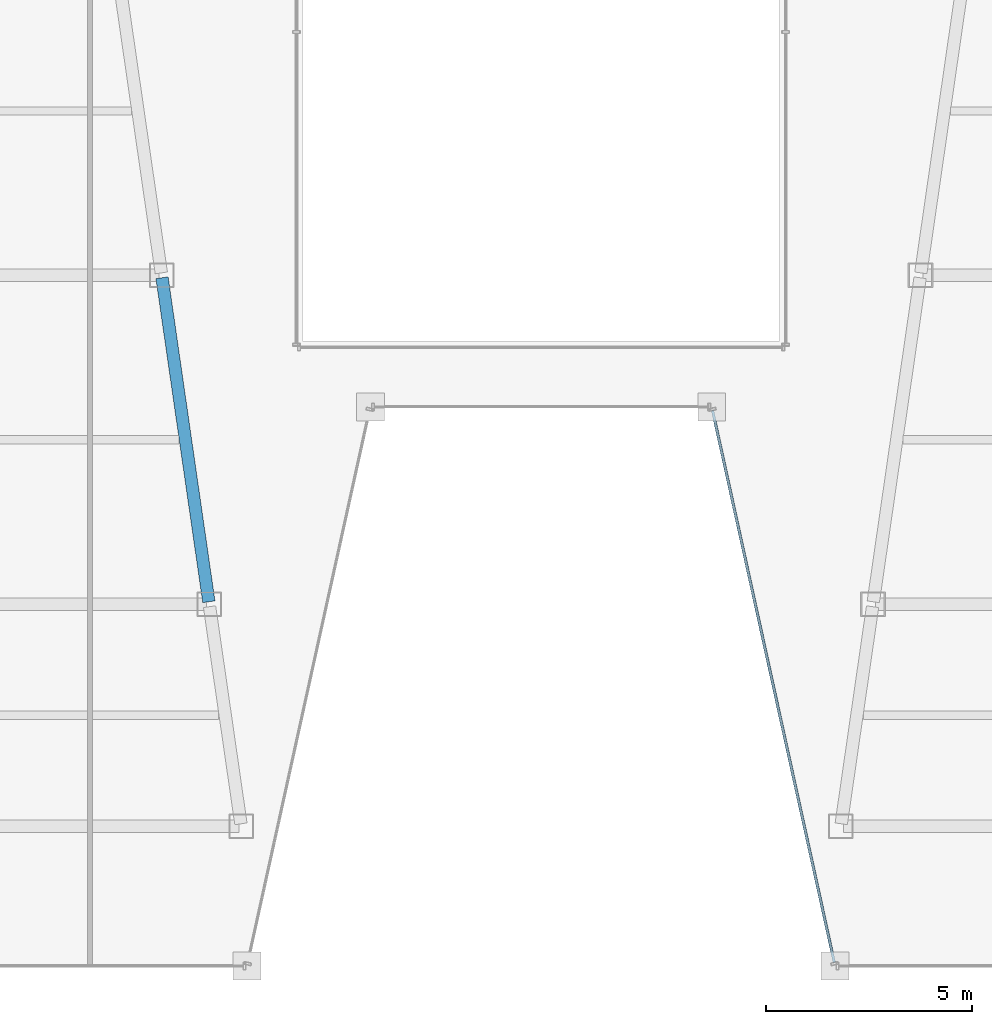
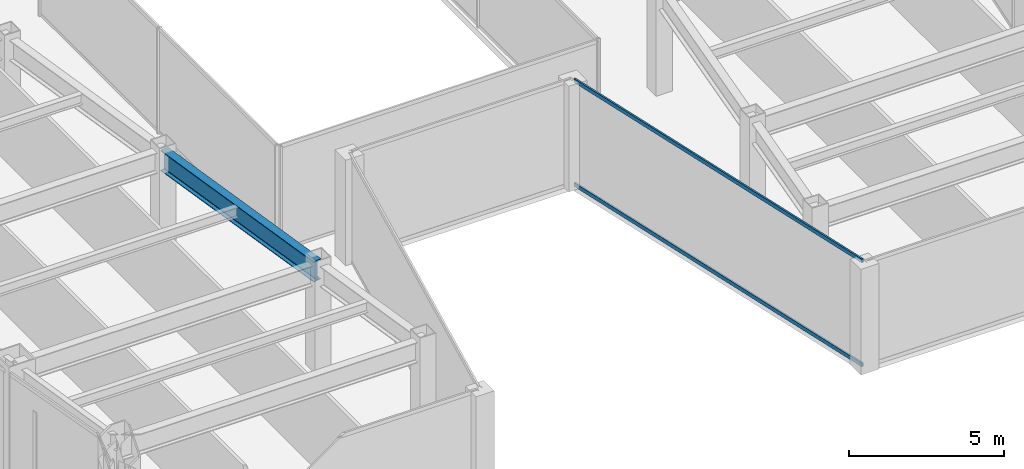
# One storey, part 6 of 37: 2 members, 1 beam, 1 element without a shape of its own.
"""IFC4 building model written with IfcOpenShell, lengths in metres."""

from ifc_helpers import new_model, si_unit, direction, frame, origin, origin_2d, place, context, subcontext, project, spatial, hollow_rectangle, i_section, extrude, material, material_profile, profile_set, type_object, element, aggregate, save


model = new_model("IFC4")

# Units and contexts
model_context = context("Model", 3, precision=1e-05, world=origin(), true_north=direction((0.0, 1.0)))
body_context = subcontext(model_context, "Body", "Model", "MODEL_VIEW")
ifc_project = project(units=[si_unit("LENGTHUNIT", "METRE"), si_unit("AREAUNIT", "SQUARE_METRE"), si_unit("VOLUMEUNIT", "CUBIC_METRE"), si_unit("PLANEANGLEUNIT", "RADIAN"), si_unit("MASSUNIT", "GRAM", prefix="KILO")], contexts=[model_context])

# Site, building, storey
site_placement = place(None, origin())
site = spatial("IfcSite", under=ifc_project, at=site_placement, CompositionType="ELEMENT")
building_placement = place(site_placement, origin())
building = spatial("IfcBuilding", under=site, at=building_placement, Name="Saevonmaru Cultural Tower", CompositionType="ELEMENT")
storey_placement = place(building_placement, frame((0.0, 0.0, 114.800048828125)))
storey = spatial("IfcBuildingStorey", under=building, at=storey_placement, Name="L24", CompositionType="ELEMENT", Elevation=114.800048828125)

# Beam
ifc_material_1 = material(Name="Steel SM420", Category="steel")
ifc_material_profile_1 = material_profile(ifc_material_1, i_section(OverallWidth=0.300048828125, OverallDepth=0.800048828125, WebThickness=0.013916015625, FlangeThickness=0.02587890625, FilletRadius=0.028076171875, at=origin_2d()), Name="H-800x300x14x26")
ifc_profile_set_1 = profile_set([ifc_material_profile_1], Name="Steel SM420")
beam_type = type_object("IfcBeamType", Name="BM-G-H800", PredefinedType="BEAM", material=ifc_profile_set_1)
beam_placement = place(storey_placement, frame((21.91943359375, 16.059326171875, 3.75), z_axis=(-0.143022161059, 0.989719486241, 0.0), x_axis=(-0.989719486241, -0.143022161059, 0.0)))
element("IfcBeam", 1, at=beam_placement, inside=storey, type_object=beam_type, Name="L24 West Atrium Girder 2", PredefinedType="BEAM", context=body_context, shape_type="SweptSolid", body=[
    extrude(i_section(OverallWidth=0.300048828125, OverallDepth=0.800048828125, WebThickness=0.013916015625, FlangeThickness=0.02587890625, FilletRadius=0.028076171875, at=origin_2d()), origin(), (0.0, 0.0, 1.0), 7.963134765625),
])

# Curtain wall, members
ifc_material_2 = material(Name="Satin Bronze Anodised Aluminium", Category="aluminium")
curtain_wall_type = type_object("IfcCurtainWallType", Name="CW-TYP-A", PredefinedType="NOTDEFINED", material=ifc_material_2)
curtain_wall_placement = place(storey_placement, origin())
curtain_wall = element("IfcCurtainWall", 2, at=curtain_wall_placement, inside=storey, type_object=curtain_wall_type, Name="L24 Unitised Curtain Wall E5", PredefinedType="NOTDEFINED")
ifc_material_profile_2 = material_profile(ifc_material_2, hollow_rectangle(XDim=0.06494140625, YDim=0.14990234375, WallThickness=0.00390625, at=origin_2d()), Name="ALU-TRAN-150x65x4")
ifc_profile_set_2 = profile_set([ifc_material_profile_2], Name="Satin Bronze Anodised Aluminium")
member_type = type_object("IfcMemberType", Name="TR-CW-150x65", PredefinedType="USERDEFINED", material=ifc_profile_set_2)
member_1_placement = place(storey_placement, frame((34.1708984375, 20.709716796875, 0.032470703125), z_axis=(0.21541214732, -0.976523223885, 0.0), x_axis=(0.976523223885, 0.21541214732, 0.0)))
member_1 = element("IfcMember", 3, at=member_1_placement, type_object=member_type, Name="CW-TW-L24-E5 transom 1.1", ObjectType="TRANSOM", PredefinedType="USERDEFINED", context=body_context, shape_type="SweptSolid", body=[
    extrude(hollow_rectangle(XDim=0.06494140625, YDim=0.14990234375, WallThickness=0.00390625, at=origin_2d()), origin(), (0.0, 0.0, 1.0), 13.741943359375),
])
member_2_placement = place(storey_placement, frame((34.1708984375, 20.709716796875, 4.117431640625), z_axis=(0.21541214732, -0.976523223885, 0.0), x_axis=(0.976523223885, 0.21541214732, 0.0)))
member_2 = element("IfcMember", 4, at=member_2_placement, type_object=member_type, Name="CW-TW-L24-E5 transom 1.2", ObjectType="TRANSOM", PredefinedType="USERDEFINED", context=body_context, shape_type="SweptSolid", body=[
    extrude(hollow_rectangle(XDim=0.06494140625, YDim=0.14990234375, WallThickness=0.00390625, at=origin_2d()), origin(), (0.0, 0.0, 1.0), 13.741943359375),
])
aggregate(curtain_wall, [member_1, member_2])

save(model, "model.ifc")
